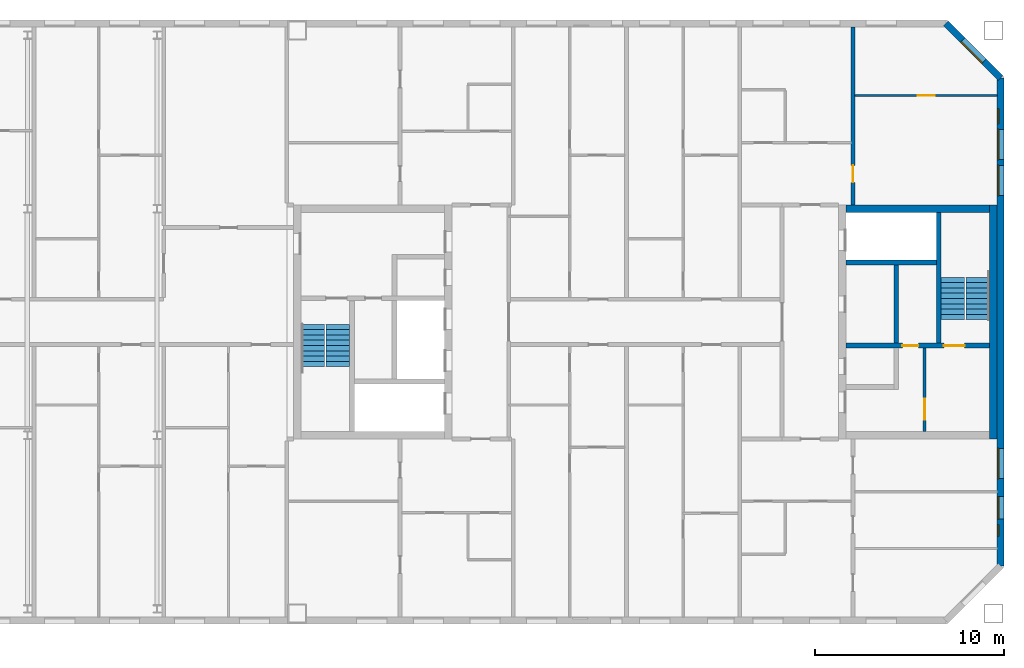
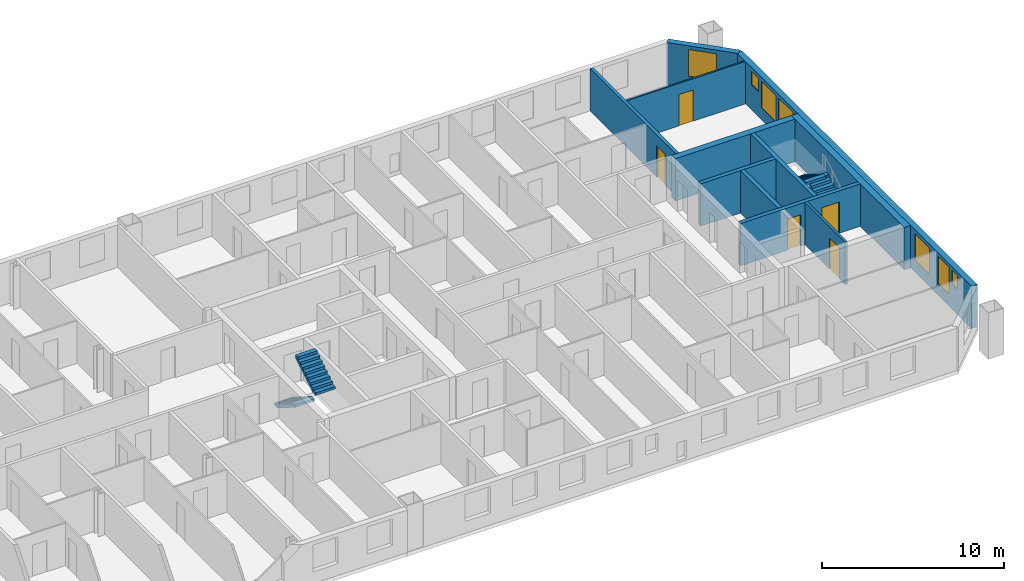
# One storey, part 17 of 19: 11 walls, 7 windows, 5 doors, 4 stair flights, 12 openings, 2 elements without a shape of their own.
"""IFC4 building model written with IfcOpenShell, lengths in metres."""

from ifc_helpers import new_model, si_unit, direction, frame, frame_2d, origin, place, context, subcontext, project, spatial, polyline, rectangle, outline, extrude, material, layer, layer_set, type_object, element, fill, aggregate, save


model = new_model("IFC4")

# Units and contexts
model_context = context("Model", 3, precision=1e-05, world=origin(), true_north=direction((0.0, 1.0)))
body_context = subcontext(model_context, "Body", "Model", "MODEL_VIEW")
ifc_project = project(units=[si_unit("LENGTHUNIT", "METRE"), si_unit("AREAUNIT", "SQUARE_METRE"), si_unit("VOLUMEUNIT", "CUBIC_METRE"), si_unit("PLANEANGLEUNIT", "RADIAN"), si_unit("MASSUNIT", "GRAM", prefix="KILO")], contexts=[model_context])

# Site, building, storey
site_placement = place(None, origin())
site = spatial("IfcSite", under=ifc_project, at=site_placement, CompositionType="ELEMENT")
building_placement = place(site_placement, origin())
building = spatial("IfcBuilding", under=site, at=building_placement, Name="Tuart Gate Housing", CompositionType="ELEMENT")
storey_placement = place(building_placement, frame((0.0, 0.0, 230.699951171875)))
storey = spatial("IfcBuildingStorey", under=building, at=storey_placement, Name="L65", CompositionType="ELEMENT", Elevation=230.699951171875)

# Wall, openings, windows
ifc_material_1 = material(Name="Brick", Category="masonry")
ifc_layer_1 = layer(ifc_material_1, 0.360107421875)
ifc_layer_set_1 = layer_set([ifc_layer_1], Name="Brick pier and spandrel wall 360")
wall_type_1 = type_object("IfcWallType", Name="Brick pier and spandrel wall 360", PredefinedType="STANDARD", material=ifc_layer_set_1)
wall_1_placement = place(storey_placement, frame((168.820068359375, 57.07470703125, 0.0), z_axis=(0.0, 0.0, 1.0), x_axis=(0.0, 1.0, 0.0)))
wall_1 = element("IfcWall", 1, at=wall_1_placement, inside=storey, type_object=wall_type_1, Name="External wall BLK-E L65", PredefinedType="STANDARD", context=body_context, shape_type="SweptSolid", body=[
    extrude(rectangle(XDim=25.850830078125, YDim=0.360107421875, at=frame_2d((12.92529296875, 0.0))), origin(), (0.0, 0.0, 1.0), 2.85009765625),
])
opening_1_placement = place(wall_1_placement, frame((1.575439453125, 0.0, 1.699951171875)))
opening_1 = element("IfcOpeningElement", 2, at=opening_1_placement, cuts=wall_1, Name="Opening W1W", PredefinedType="OPENING", context=body_context, shape_type="SweptSolid", body=[
    extrude(rectangle(XDim=0.60009765625, YDim=0.89990234375, at=frame_2d((0.300048828125, 0.449951171875))), frame((0.0, 0.18994140625, 0.0), z_axis=(0.0, -1.0, 0.0), x_axis=(1.0, 0.0, 0.0)), (0.0, 0.0, 1.0), 0.380126953125),
])
opening_2_placement = place(wall_1_placement, frame((4.62548828125, 0.0, 0.800048828125)))
opening_2 = element("IfcOpeningElement", 3, at=opening_2_placement, cuts=wall_1, Name="Opening W1", PredefinedType="OPENING", context=body_context, shape_type="SweptSolid", body=[
    extrude(rectangle(XDim=1.60009765625, YDim=1.800048828125, at=frame_2d((0.800048828125, 0.89990234375))), frame((0.0, 0.18994140625, 0.0), z_axis=(0.0, -1.0, 0.0), x_axis=(1.0, 0.0, 0.0)), (0.0, 0.0, 1.0), 0.380126953125),
])
opening_3_placement = place(wall_1_placement, frame((19.62548828125, 0.0, 0.800048828125)))
opening_3 = element("IfcOpeningElement", 4, at=opening_3_placement, cuts=wall_1, Name="Opening W1", PredefinedType="OPENING", context=body_context, shape_type="SweptSolid", body=[
    extrude(rectangle(XDim=1.60009765625, YDim=1.800048828125, at=frame_2d((0.800048828125, 0.89990234375))), frame((0.0, 0.18994140625, 0.0), z_axis=(0.0, -1.0, 0.0), x_axis=(1.0, 0.0, 0.0)), (0.0, 0.0, 1.0), 0.380126953125),
])
opening_4_placement = place(wall_1_placement, frame((21.525390625, 0.0, 0.800048828125)))
opening_4 = element("IfcOpeningElement", 5, at=opening_4_placement, cuts=wall_1, Name="Opening W1", PredefinedType="OPENING", context=body_context, shape_type="SweptSolid", body=[
    extrude(rectangle(XDim=1.60009765625, YDim=1.800048828125, at=frame_2d((0.800048828125, 0.89990234375))), frame((0.0, 0.18994140625, 0.0), z_axis=(0.0, -1.0, 0.0), x_axis=(1.0, 0.0, 0.0)), (0.0, 0.0, 1.0), 0.380126953125),
])
opening_5_placement = place(wall_1_placement, frame((2.475341796875, 0.0, 0.800048828125)))
opening_5 = element("IfcOpeningElement", 6, at=opening_5_placement, cuts=wall_1, Name="Opening W1B", PredefinedType="OPENING", context=body_context, shape_type="SweptSolid", body=[
    extrude(rectangle(XDim=1.199951171875, YDim=1.800048828125, at=frame_2d((0.60009765625, 0.89990234375))), frame((0.0, 0.18994140625, 0.0), z_axis=(0.0, -1.0, 0.0), x_axis=(1.0, 0.0, 0.0)), (0.0, 0.0, 1.0), 0.380126953125),
])
opening_6_placement = place(wall_1_placement, frame((23.42529296875, 0.0, 1.699951171875)))
opening_6 = element("IfcOpeningElement", 7, at=opening_6_placement, cuts=wall_1, Name="Opening W1V", PredefinedType="OPENING", context=body_context, shape_type="SweptSolid", body=[
    extrude(rectangle(XDim=0.800048828125, YDim=0.89990234375, at=frame_2d((0.39990234375, 0.449951171875))), frame((0.0, 0.18994140625, 0.0), z_axis=(0.0, -1.0, 0.0), x_axis=(1.0, 0.0, 0.0)), (0.0, 0.0, 1.0), 0.380126953125),
])
ifc_material_2 = material(Name="Aluminium frame with clear glass", Category="aluminium")
window_type_1 = type_object("IfcWindowType", Name="Punched window 1200 x 1800", PartitioningType="SINGLE_PANEL", PredefinedType="WINDOW", material=ifc_material_2)
window_1_placement = place(opening_5_placement, origin())
window_1 = element("IfcWindow", 8, at=window_1_placement, inside=storey, type_object=window_type_1, Name="Window W1B", OverallHeight=1.800048828125, OverallWidth=1.199951171875, PartitioningType="SINGLE_PANEL", PredefinedType="WINDOW", context=body_context, shape_type="SweptSolid", body=[
    extrude(rectangle(XDim=1.199951171875, YDim=1.800048828125, at=frame_2d((0.60009765625, 0.89990234375))), frame((0.0, 0.150146484375, 0.0), z_axis=(0.0, -1.0, 0.0), x_axis=(1.0, 0.0, 0.0)), (0.0, 0.0, 1.0), 0.06005859375),
])
fill(opening_5, window_1)
ifc_material_3 = material(Name="Aluminium frame with clear glass", Category="aluminium")
window_type_2 = type_object("IfcWindowType", Name="Punched window 1600 x 1800", PartitioningType="SINGLE_PANEL", PredefinedType="WINDOW", material=ifc_material_3)
window_2_placement = place(opening_2_placement, origin())
window_2 = element("IfcWindow", 9, at=window_2_placement, inside=storey, type_object=window_type_2, Name="Window W1", OverallHeight=1.800048828125, OverallWidth=1.60009765625, PartitioningType="SINGLE_PANEL", PredefinedType="WINDOW", context=body_context, shape_type="SweptSolid", body=[
    extrude(rectangle(XDim=1.60009765625, YDim=1.800048828125, at=frame_2d((0.800048828125, 0.89990234375))), frame((0.0, 0.150146484375, 0.0), z_axis=(0.0, -1.0, 0.0), x_axis=(1.0, 0.0, 0.0)), (0.0, 0.0, 1.0), 0.06005859375),
])
fill(opening_2, window_2)
window_3_placement = place(opening_3_placement, origin())
window_3 = element("IfcWindow", 10, at=window_3_placement, inside=storey, type_object=window_type_2, Name="Window W1", OverallHeight=1.800048828125, OverallWidth=1.60009765625, PartitioningType="SINGLE_PANEL", PredefinedType="WINDOW", context=body_context, shape_type="SweptSolid", body=[
    extrude(rectangle(XDim=1.60009765625, YDim=1.800048828125, at=frame_2d((0.800048828125, 0.89990234375))), frame((0.0, 0.150146484375, 0.0), z_axis=(0.0, -1.0, 0.0), x_axis=(1.0, 0.0, 0.0)), (0.0, 0.0, 1.0), 0.06005859375),
])
fill(opening_3, window_3)
window_4_placement = place(opening_4_placement, origin())
window_4 = element("IfcWindow", 11, at=window_4_placement, inside=storey, type_object=window_type_2, Name="Window W1", OverallHeight=1.800048828125, OverallWidth=1.60009765625, PartitioningType="SINGLE_PANEL", PredefinedType="WINDOW", context=body_context, shape_type="SweptSolid", body=[
    extrude(rectangle(XDim=1.60009765625, YDim=1.800048828125, at=frame_2d((0.800048828125, 0.89990234375))), frame((0.0, 0.150146484375, 0.0), z_axis=(0.0, -1.0, 0.0), x_axis=(1.0, 0.0, 0.0)), (0.0, 0.0, 1.0), 0.06005859375),
])
fill(opening_4, window_4)
ifc_material_4 = material(Name="Aluminium frame with clear glass", Category="aluminium")
window_type_3 = type_object("IfcWindowType", Name="Punched window 600 x 900", PartitioningType="SINGLE_PANEL", PredefinedType="WINDOW", material=ifc_material_4)
window_5_placement = place(opening_1_placement, origin())
window_5 = element("IfcWindow", 12, at=window_5_placement, inside=storey, type_object=window_type_3, Name="Window W1W", OverallHeight=0.89990234375, OverallWidth=0.60009765625, PartitioningType="SINGLE_PANEL", PredefinedType="WINDOW", context=body_context, shape_type="SweptSolid", body=[
    extrude(rectangle(XDim=0.60009765625, YDim=0.89990234375, at=frame_2d((0.300048828125, 0.449951171875))), frame((0.0, 0.150146484375, 0.0), z_axis=(0.0, -1.0, 0.0), x_axis=(1.0, 0.0, 0.0)), (0.0, 0.0, 1.0), 0.06005859375),
])
fill(opening_1, window_5)
ifc_material_5 = material(Name="Aluminium frame with clear glass", Category="aluminium")
window_type_4 = type_object("IfcWindowType", Name="Punched window 800 x 900", PartitioningType="SINGLE_PANEL", PredefinedType="WINDOW", material=ifc_material_5)
window_6_placement = place(opening_6_placement, origin())
window_6 = element("IfcWindow", 13, at=window_6_placement, inside=storey, type_object=window_type_4, Name="Window W1V", OverallHeight=0.89990234375, OverallWidth=0.800048828125, PartitioningType="SINGLE_PANEL", PredefinedType="WINDOW", context=body_context, shape_type="SweptSolid", body=[
    extrude(rectangle(XDim=0.800048828125, YDim=0.89990234375, at=frame_2d((0.39990234375, 0.449951171875))), frame((0.0, 0.150146484375, 0.0), z_axis=(0.0, -1.0, 0.0), x_axis=(1.0, 0.0, 0.0)), (0.0, 0.0, 1.0), 0.06005859375),
])
fill(opening_6, window_6)

# Wall, opening, window
wall_2_placement = place(storey_placement, frame((168.820068359375, 82.92529296875, 0.0), z_axis=(0.0, 0.0, 1.0), x_axis=(-0.707106781187, 0.707106781187, 0.0)))
wall_2 = element("IfcWall", 14, at=wall_2_placement, inside=storey, type_object=wall_type_1, Name="External wall BLK-NE L65", PredefinedType="STANDARD", context=body_context, shape_type="SweptSolid", body=[
    extrude(rectangle(XDim=4.09375, YDim=0.360107421875, at=frame_2d((2.046875, 0.0))), origin(), (0.0, 0.0, 1.0), 2.85009765625),
])
opening_7_placement = place(wall_2_placement, frame((1.2470703125, 0.0, 0.800048828125)))
opening_7 = element("IfcOpeningElement", 15, at=opening_7_placement, cuts=wall_2, Name="Opening W1", PredefinedType="OPENING", context=body_context, shape_type="SweptSolid", body=[
    extrude(rectangle(XDim=1.60009765625, YDim=1.800048828125, at=frame_2d((0.800048828125, 0.89990234375))), frame((0.0, 0.18994140625, 0.0), z_axis=(0.0, -1.0, 0.0), x_axis=(1.0, 0.0, 0.0)), (0.0, 0.0, 1.0), 0.380126953125),
])
window_7_placement = place(opening_7_placement, origin())
window_7 = element("IfcWindow", 16, at=window_7_placement, inside=storey, type_object=window_type_2, Name="Window W1", OverallHeight=1.800048828125, OverallWidth=1.60009765625, PartitioningType="SINGLE_PANEL", PredefinedType="WINDOW", context=body_context, shape_type="SweptSolid", body=[
    extrude(rectangle(XDim=1.60009765625, YDim=1.800048828125, at=frame_2d((0.800048828125, 0.89990234375))), frame((0.0, 0.150146484375, 0.0), z_axis=(0.0, -1.0, 0.0), x_axis=(1.0, 0.0, 0.0)), (0.0, 0.0, 1.0), 0.06005859375),
])
fill(opening_7, window_7)

# Wall, opening, door
ifc_material_6 = material(Name="Plasterboard partition")
ifc_layer_2 = layer(ifc_material_6, 0.14990234375)
ifc_layer_set_2 = layer_set([ifc_layer_2], Name="Core partition 150")
wall_type_2 = type_object("IfcWallType", Name="Core partition 150", PredefinedType="PARTITIONING", material=ifc_layer_set_2)
wall_3_placement = place(storey_placement, frame((164.7900390625, 68.625, 0.0), z_axis=(0.0, 0.0, 1.0), x_axis=(0.0, -1.0, 0.0)))
wall_3 = element("IfcWall", 17, at=wall_3_placement, inside=storey, type_object=wall_type_2, Name="Core partition BK.6", PredefinedType="PARTITIONING", context=body_context, shape_type="SweptSolid", body=[
    extrude(rectangle(XDim=4.425048828125, YDim=0.14990234375, at=frame_2d((2.21240234375, 0.0))), origin(), (0.0, 0.0, 1.0), 2.85009765625),
])
opening_8_placement = place(wall_3_placement, frame((2.699951171875, 0.0, 0.0)))
opening_8 = element("IfcOpeningElement", 18, at=opening_8_placement, cuts=wall_3, Name="Opening D2589", PredefinedType="OPENING", context=body_context, shape_type="SweptSolid", body=[
    extrude(rectangle(XDim=1.10009765625, YDim=2.10009765625, at=frame_2d((0.550048828125, 1.050048828125))), frame((0.0, 0.0849609375, 0.0), z_axis=(0.0, -1.0, 0.0), x_axis=(1.0, 0.0, 0.0)), (0.0, 0.0, 1.0), 0.169921875),
])
ifc_material_7 = material(Name="Steel fire door", Category="steel")
door_type_1 = type_object("IfcDoorType", Name="Lobby door 1100 x 2100 RH", OperationType="SINGLE_SWING_RIGHT", PredefinedType="DOOR", material=ifc_material_7)
door_1_placement = place(opening_8_placement, origin())
door_1 = element("IfcDoor", 19, at=door_1_placement, inside=storey, type_object=door_type_1, Name="Smoke lobby door BK.KD", OperationType="SINGLE_SWING_RIGHT", OverallHeight=2.10009765625, OverallWidth=1.10009765625, PredefinedType="DOOR", context=body_context, shape_type="SweptSolid", body=[
    extrude(rectangle(XDim=1.10009765625, YDim=2.10009765625, at=frame_2d((0.550048828125, 1.050048828125))), frame((0.0, 0.02490234375, 0.0), z_axis=(0.0, -1.0, 0.0), x_axis=(1.0, 0.0, 0.0)), (0.0, 0.0, 1.0), 0.050048828125),
])
fill(opening_8, door_1)

# Wall
ifc_material_8 = material(Name="Concrete C40", Category="concrete")
ifc_layer_3 = layer(ifc_material_8, 0.25)
ifc_layer_set_3 = layer_set([ifc_layer_3], Name="Core wall 250 C40")
wall_type_3 = type_object("IfcWallType", Name="Core wall 250 C40", PredefinedType="SHEAR", material=ifc_layer_set_3)
wall_4_placement = place(storey_placement, frame((160.639892578125, 73.14990234375, 0.0), z_axis=(0.0, 0.0, 1.0), x_axis=(1.0, 0.0, 0.0)))
element("IfcWall", 20, at=wall_4_placement, inside=storey, type_object=wall_type_3, Name="Core wall BK.1", PredefinedType="SHEAR", context=body_context, shape_type="SweptSolid", body=[
    extrude(rectangle(XDim=4.775146484375, YDim=0.25, at=frame_2d((2.3876953125, 0.0))), origin(), (0.0, 0.0, 1.0), 2.85009765625),
])

# Wall, openings, doors
wall_5_placement = place(storey_placement, frame((160.639892578125, 68.75, 0.0), z_axis=(0.0, 0.0, 1.0), x_axis=(1.0, 0.0, 0.0)))
wall_5 = element("IfcWall", 21, at=wall_5_placement, inside=storey, type_object=wall_type_3, Name="Core wall BK.2", PredefinedType="SHEAR", context=body_context, shape_type="SweptSolid", body=[
    extrude(rectangle(XDim=7.60009765625, YDim=0.25, at=frame_2d((3.800048828125, 0.0))), origin(), (0.0, 0.0, 1.0), 2.85009765625),
])
opening_9_placement = place(wall_5_placement, frame((5.175048828125, 0.0, 0.0)))
opening_9 = element("IfcOpeningElement", 22, at=opening_9_placement, cuts=wall_5, Name="Opening D2588", PredefinedType="OPENING", context=body_context, shape_type="SweptSolid", body=[
    extrude(rectangle(XDim=1.10009765625, YDim=2.10009765625, at=frame_2d((0.550048828125, 1.050048828125))), frame((0.0, 0.135009765625, 0.0), z_axis=(0.0, -1.0, 0.0), x_axis=(1.0, 0.0, 0.0)), (0.0, 0.0, 1.0), 0.27001953125),
])
opening_10_placement = place(wall_5_placement, frame((2.97509765625, 0.0, 0.0)))
opening_10 = element("IfcOpeningElement", 23, at=opening_10_placement, cuts=wall_5, Name="Opening D2587", PredefinedType="OPENING", context=body_context, shape_type="SweptSolid", body=[
    extrude(rectangle(XDim=0.85009765625, YDim=2.10009765625, at=frame_2d((0.425048828125, 1.050048828125))), frame((0.0, 0.135009765625, 0.0), z_axis=(0.0, -1.0, 0.0), x_axis=(1.0, 0.0, 0.0)), (0.0, 0.0, 1.0), 0.27001953125),
])
ifc_material_9 = material(Name="Steel fire door", Category="steel")
door_type_2 = type_object("IfcDoorType", Name="Riser door 850 x 2100", OperationType="SINGLE_SWING_LEFT", PredefinedType="DOOR", material=ifc_material_9)
door_2_placement = place(opening_10_placement, origin())
door_2 = element("IfcDoor", 24, at=door_2_placement, inside=storey, type_object=door_type_2, Name="Service room door BK.W1", OperationType="SINGLE_SWING_LEFT", OverallHeight=2.10009765625, OverallWidth=0.85009765625, PredefinedType="DOOR", context=body_context, shape_type="SweptSolid", body=[
    extrude(rectangle(XDim=0.85009765625, YDim=2.10009765625, at=frame_2d((0.425048828125, 1.050048828125))), frame((0.0, 0.02490234375, 0.0), z_axis=(0.0, -1.0, 0.0), x_axis=(1.0, 0.0, 0.0)), (0.0, 0.0, 1.0), 0.050048828125),
])
fill(opening_10, door_2)
ifc_material_10 = material(Name="Steel fire door", Category="steel")
door_type_3 = type_object("IfcDoorType", Name="Stair door 1100 x 2100", OperationType="SINGLE_SWING_LEFT", PredefinedType="DOOR", material=ifc_material_10)
door_3_placement = place(opening_9_placement, origin())
door_3 = element("IfcDoor", 25, at=door_3_placement, inside=storey, type_object=door_type_3, Name="Stair door BK.SD", OperationType="SINGLE_SWING_LEFT", OverallHeight=2.10009765625, OverallWidth=1.10009765625, PredefinedType="DOOR", context=body_context, shape_type="SweptSolid", body=[
    extrude(rectangle(XDim=1.10009765625, YDim=2.10009765625, at=frame_2d((0.550048828125, 1.050048828125))), frame((0.0, 0.02490234375, 0.0), z_axis=(0.0, -1.0, 0.0), x_axis=(1.0, 0.0, 0.0)), (0.0, 0.0, 1.0), 0.050048828125),
])
fill(opening_9, door_3)

# Walls
wall_6_placement = place(storey_placement, frame((163.2900390625, 73.02490234375, 0.0), z_axis=(0.0, 0.0, 1.0), x_axis=(0.0, -1.0, 0.0)))
element("IfcWall", 26, at=wall_6_placement, inside=storey, type_object=wall_type_3, Name="Core wall BK.4", PredefinedType="SHEAR", context=body_context, shape_type="SweptSolid", body=[
    extrude(rectangle(XDim=4.14990234375, YDim=0.25, at=frame_2d((2.074951171875, 0.0))), origin(), (0.0, 0.0, 1.0), 2.85009765625),
])
wall_7_placement = place(storey_placement, frame((165.5400390625, 75.800048828125, 0.0), z_axis=(0.0, 0.0, 1.0), x_axis=(0.0, -1.0, 0.0)))
element("IfcWall", 27, at=wall_7_placement, inside=storey, type_object=wall_type_3, Name="Core wall BK.7", PredefinedType="SHEAR", context=body_context, shape_type="SweptSolid", body=[
    extrude(rectangle(XDim=6.925048828125, YDim=0.25, at=frame_2d((3.46240234375, 0.0))), origin(), (0.0, 0.0, 1.0), 2.85009765625),
])
ifc_material_11 = material(Name="Concrete C40", Category="concrete")
ifc_layer_4 = layer(ifc_material_11, 0.39990234375)
ifc_layer_set_4 = layer_set([ifc_layer_4], Name="Core wall 400 C40")
wall_type_4 = type_object("IfcWallType", Name="Core wall 400 C40", PredefinedType="SHEAR", material=ifc_layer_set_4)
wall_8_placement = place(storey_placement, frame((168.43994140625, 76.199951171875, 0.0), z_axis=(0.0, 0.0, 1.0), x_axis=(0.0, -1.0, 0.0)))
element("IfcWall", 28, at=wall_8_placement, inside=storey, type_object=wall_type_4, Name="Core wall BK back", PredefinedType="SHEAR", context=body_context, shape_type="SweptSolid", body=[
    extrude(rectangle(XDim=12.39990234375, YDim=0.39990234375, at=frame_2d((6.199951171875, 0.0))), origin(), (0.0, 0.0, 1.0), 2.85009765625),
])
wall_9_placement = place(storey_placement, frame((160.639892578125, 76.0, 0.0), z_axis=(0.0, 0.0, 1.0), x_axis=(1.0, 0.0, 0.0)))
element("IfcWall", 29, at=wall_9_placement, inside=storey, type_object=wall_type_4, Name="Core wall BK south", PredefinedType="SHEAR", context=body_context, shape_type="SweptSolid", body=[
    extrude(rectangle(XDim=7.60009765625, YDim=0.39990234375, at=frame_2d((3.800048828125, 0.0))), origin(), (0.0, 0.0, 1.0), 2.85009765625),
])

# Wall, opening, door
ifc_material_12 = material(Name="Gypsum board on steel studs", Category="steel")
ifc_layer_5 = layer(ifc_material_12, 0.10009765625)
ifc_layer_set_5 = layer_set([ifc_layer_5], Name="Partition 100")
wall_type_5 = type_object("IfcWallType", Name="Partition 100", PredefinedType="PARTITIONING", material=ifc_layer_set_5)
wall_10_placement = place(storey_placement, frame((161.10009765625, 82.0, 0.0), z_axis=(0.0, 0.0, 1.0), x_axis=(1.0, 0.0, 0.0)))
wall_10 = element("IfcWall", 30, at=wall_10_placement, inside=storey, type_object=wall_type_5, Name="Partition 100", PredefinedType="PARTITIONING", context=body_context, shape_type="SweptSolid", body=[
    extrude(rectangle(XDim=7.539794921875, YDim=0.10009765625, at=frame_2d((3.77001953125, 0.0))), origin(), (0.0, 0.0, 1.0), 2.85009765625),
])
opening_11_placement = place(wall_10_placement, frame((3.320068359375, 0.0, 0.0)))
opening_11 = element("IfcOpeningElement", 31, at=opening_11_placement, cuts=wall_10, Name="Opening D2557", PredefinedType="OPENING", context=body_context, shape_type="SweptSolid", body=[
    extrude(rectangle(XDim=0.89990234375, YDim=2.10009765625, at=frame_2d((0.449951171875, 1.050048828125))), frame((0.0, 0.06005859375, 0.0), z_axis=(0.0, -1.0, 0.0), x_axis=(1.0, 0.0, 0.0)), (0.0, 0.0, 1.0), 0.1201171875),
])
ifc_material_13 = material(Name="Timber door leaf in steel frame", Category="steel")
door_type_4 = type_object("IfcDoorType", Name="Internal door 900 RH", OperationType="SINGLE_SWING_RIGHT", PredefinedType="DOOR", material=ifc_material_13)
door_4_placement = place(opening_11_placement, origin())
door_4 = element("IfcDoor", 32, at=door_4_placement, inside=storey, type_object=door_type_4, Name="Internal door", OperationType="SINGLE_SWING_RIGHT", OverallHeight=2.10009765625, OverallWidth=0.89990234375, PredefinedType="DOOR", context=body_context, shape_type="SweptSolid", body=[
    extrude(rectangle(XDim=0.89990234375, YDim=2.10009765625, at=frame_2d((0.449951171875, 1.050048828125))), frame((0.0, 0.02490234375, 0.0), z_axis=(0.0, -1.0, 0.0), x_axis=(1.0, 0.0, 0.0)), (0.0, 0.0, 1.0), 0.050048828125),
])
fill(opening_11, door_4)

ifc_material_14 = material(Name="Concrete C40", Category="concrete")
ifc_layer_6 = layer(ifc_material_14, 0.199951171875)
ifc_layer_set_6 = layer_set([ifc_layer_6], Name="Party wall concrete C40 200")
wall_type_6 = type_object("IfcWallType", Name="Party wall concrete C40 200", PredefinedType="SOLIDWALL", material=ifc_layer_set_6)
wall_11_placement = place(storey_placement, frame((161.0, 76.199951171875, 0.0), z_axis=(0.0, 0.0, 1.0), x_axis=(0.0, 1.0, 0.0)))
wall_11 = element("IfcWall", 33, at=wall_11_placement, inside=storey, type_object=wall_type_6, Name="Party wall concrete C40 200", PredefinedType="SOLIDWALL", context=body_context, shape_type="SweptSolid", body=[
    extrude(rectangle(XDim=9.43994140625, YDim=0.199951171875, at=frame_2d((4.719970703125, 0.0))), origin(), (0.0, 0.0, 1.0), 2.85009765625),
])
opening_12_placement = place(wall_11_placement, frame((1.199951171875, 0.0, 0.0)))
opening_12 = element("IfcOpeningElement", 34, at=opening_12_placement, cuts=wall_11, Name="Opening D2560", PredefinedType="OPENING", context=body_context, shape_type="SweptSolid", body=[
    extrude(rectangle(XDim=0.89990234375, YDim=2.10009765625, at=frame_2d((0.449951171875, 1.050048828125))), frame((0.0, 0.10986328125, 0.0), z_axis=(0.0, -1.0, 0.0), x_axis=(1.0, 0.0, 0.0)), (0.0, 0.0, 1.0), 0.219970703125),
])
ifc_material_15 = material(Name="Timber door leaf in steel frame", Category="steel")
door_type_5 = type_object("IfcDoorType", Name="Internal door 900", OperationType="SINGLE_SWING_LEFT", PredefinedType="DOOR", material=ifc_material_15)
door_5_placement = place(opening_12_placement, origin())
door_5 = element("IfcDoor", 35, at=door_5_placement, inside=storey, type_object=door_type_5, Name="Internal door", OperationType="SINGLE_SWING_LEFT", OverallHeight=2.10009765625, OverallWidth=0.89990234375, PredefinedType="DOOR", context=body_context, shape_type="SweptSolid", body=[
    extrude(rectangle(XDim=0.89990234375, YDim=2.10009765625, at=frame_2d((0.449951171875, 1.050048828125))), frame((0.0, 0.02490234375, 0.0), z_axis=(0.0, -1.0, 0.0), x_axis=(1.0, 0.0, 0.0)), (0.0, 0.0, 1.0), 0.050048828125),
])
fill(opening_12, door_5)

# Stair, stair flights
ifc_material_16 = material(Name="Concrete C40", Category="concrete")
stair_type = type_object("IfcStairType", Name="Core stair 1250", PredefinedType="HALF_TURN_STAIR", material=ifc_material_16)
stair_1_placement = place(storey_placement, origin())
stair_1 = element("IfcStair", 36, at=stair_1_placement, inside=storey, type_object=stair_type, Name="Stair SB1", PredefinedType="HALF_TURN_STAIR")
ifc_material_17 = material(Name="Concrete C40", Category="concrete")
stair_flight_type = type_object("IfcStairFlightType", Name="Stair flight 1250, 9 risers 172 x 280", PredefinedType="STRAIGHT", material=ifc_material_17)
stair_flight_1_placement = place(storey_placement, frame((132.385009765625, 69.875, 0.0), z_axis=(0.0, 0.0, 1.0), x_axis=(0.0, -1.0, 0.0)))
stair_flight_1 = element("IfcStairFlight", 37, at=stair_flight_1_placement, type_object=stair_flight_type, Name="SB1 flight 1", NumberOfRisers=9, NumberOfTreads=8, PredefinedType="STRAIGHT", RiserHeight=0.172222222, TreadLength=0.28, context=body_context, shape_type="SweptSolid", body=[
    extrude(outline(polyline([(0.0, 0.0), (0.0, 0.172119140625), (0.280029296875, 0.172119140625), (0.280029296875, 0.344482421875), (0.56005859375, 0.344482421875), (0.56005859375, 0.5166015625), (0.840087890625, 0.5166015625), (0.840087890625, 0.68896484375), (1.1201171875, 0.68896484375), (1.1201171875, 0.861083984375), (1.39990234375, 0.861083984375), (1.39990234375, 1.033447265625), (1.679931640625, 1.033447265625), (1.679931640625, 1.20556640625), (1.9599609375, 1.20556640625), (1.9599609375, 1.377685546875), (2.239990234375, 1.377685546875), (2.239990234375, 1.550048828125), (2.239990234375, 1.201904296875), (0.2861328125, 0.0), (0.0, 0.0)])), frame((0.0, 0.625, 0.0), z_axis=(0.0, -1.0, 0.0), x_axis=(1.0, 0.0, 0.0)), (0.0, 0.0, 1.0), 1.25),
])
stair_flight_2_placement = place(storey_placement, frame((133.7099609375, 67.635009765625, 1.550048828125), z_axis=(0.0, 0.0, 1.0), x_axis=(0.0, 1.0, 0.0)))
stair_flight_2 = element("IfcStairFlight", 38, at=stair_flight_2_placement, type_object=stair_flight_type, Name="SB1 flight 2", NumberOfRisers=9, NumberOfTreads=8, PredefinedType="STRAIGHT", RiserHeight=0.172222222, TreadLength=0.28, context=body_context, shape_type="SweptSolid", body=[
    extrude(outline(polyline([(0.0, 0.0), (0.0, 0.172119140625), (0.280029296875, 0.172119140625), (0.280029296875, 0.344482421875), (0.56005859375, 0.344482421875), (0.56005859375, 0.5166015625), (0.840087890625, 0.5166015625), (0.840087890625, 0.68896484375), (1.1201171875, 0.68896484375), (1.1201171875, 0.861083984375), (1.39990234375, 0.861083984375), (1.39990234375, 1.033447265625), (1.679931640625, 1.033447265625), (1.679931640625, 1.20556640625), (1.9599609375, 1.20556640625), (1.9599609375, 1.377685546875), (2.239990234375, 1.377685546875), (2.239990234375, 1.550048828125), (2.239990234375, 1.201904296875), (0.2861328125, 0.0), (0.0, 0.0)])), frame((0.0, 0.625, 0.0), z_axis=(0.0, -1.0, 0.0), x_axis=(1.0, 0.0, 0.0)), (0.0, 0.0, 1.0), 1.25),
])
aggregate(stair_1, [stair_flight_1, stair_flight_2])

stair_2_placement = place(storey_placement, origin())
stair_2 = element("IfcStair", 39, at=stair_2_placement, inside=storey, type_object=stair_type, Name="Stair SB2", PredefinedType="HALF_TURN_STAIR")
stair_flight_3_placement = place(storey_placement, frame((167.614990234375, 70.125, 0.0), z_axis=(0.0, 0.0, 1.0), x_axis=(0.0, 1.0, 0.0)))
stair_flight_3 = element("IfcStairFlight", 40, at=stair_flight_3_placement, type_object=stair_flight_type, Name="SB2 flight 1", NumberOfRisers=9, NumberOfTreads=8, PredefinedType="STRAIGHT", RiserHeight=0.172222222, TreadLength=0.28, context=body_context, shape_type="SweptSolid", body=[
    extrude(outline(polyline([(0.0, 0.0), (0.0, 0.172119140625), (0.280029296875, 0.172119140625), (0.280029296875, 0.344482421875), (0.56005859375, 0.344482421875), (0.56005859375, 0.5166015625), (0.840087890625, 0.5166015625), (0.840087890625, 0.68896484375), (1.1201171875, 0.68896484375), (1.1201171875, 0.861083984375), (1.39990234375, 0.861083984375), (1.39990234375, 1.033447265625), (1.679931640625, 1.033447265625), (1.679931640625, 1.20556640625), (1.9599609375, 1.20556640625), (1.9599609375, 1.377685546875), (2.239990234375, 1.377685546875), (2.239990234375, 1.550048828125), (2.239990234375, 1.201904296875), (0.2861328125, 0.0), (0.0, 0.0)])), frame((0.0, 0.625, 0.0), z_axis=(0.0, -1.0, 0.0), x_axis=(1.0, 0.0, 0.0)), (0.0, 0.0, 1.0), 1.25),
])
stair_flight_4_placement = place(storey_placement, frame((166.2900390625, 72.364990234375, 1.550048828125), z_axis=(0.0, 0.0, 1.0), x_axis=(0.0, -1.0, 0.0)))
stair_flight_4 = element("IfcStairFlight", 41, at=stair_flight_4_placement, type_object=stair_flight_type, Name="SB2 flight 2", NumberOfRisers=9, NumberOfTreads=8, PredefinedType="STRAIGHT", RiserHeight=0.172222222, TreadLength=0.28, context=body_context, shape_type="SweptSolid", body=[
    extrude(outline(polyline([(0.0, 0.0), (0.0, 0.172119140625), (0.280029296875, 0.172119140625), (0.280029296875, 0.344482421875), (0.56005859375, 0.344482421875), (0.56005859375, 0.5166015625), (0.840087890625, 0.5166015625), (0.840087890625, 0.68896484375), (1.1201171875, 0.68896484375), (1.1201171875, 0.861083984375), (1.39990234375, 0.861083984375), (1.39990234375, 1.033447265625), (1.679931640625, 1.033447265625), (1.679931640625, 1.20556640625), (1.9599609375, 1.20556640625), (1.9599609375, 1.377685546875), (2.239990234375, 1.377685546875), (2.239990234375, 1.550048828125), (2.239990234375, 1.201904296875), (0.2861328125, 0.0), (0.0, 0.0)])), frame((0.0, 0.625, 0.0), z_axis=(0.0, -1.0, 0.0), x_axis=(1.0, 0.0, 0.0)), (0.0, 0.0, 1.0), 1.25),
])
aggregate(stair_2, [stair_flight_3, stair_flight_4])

save(model, "model.ifc")
